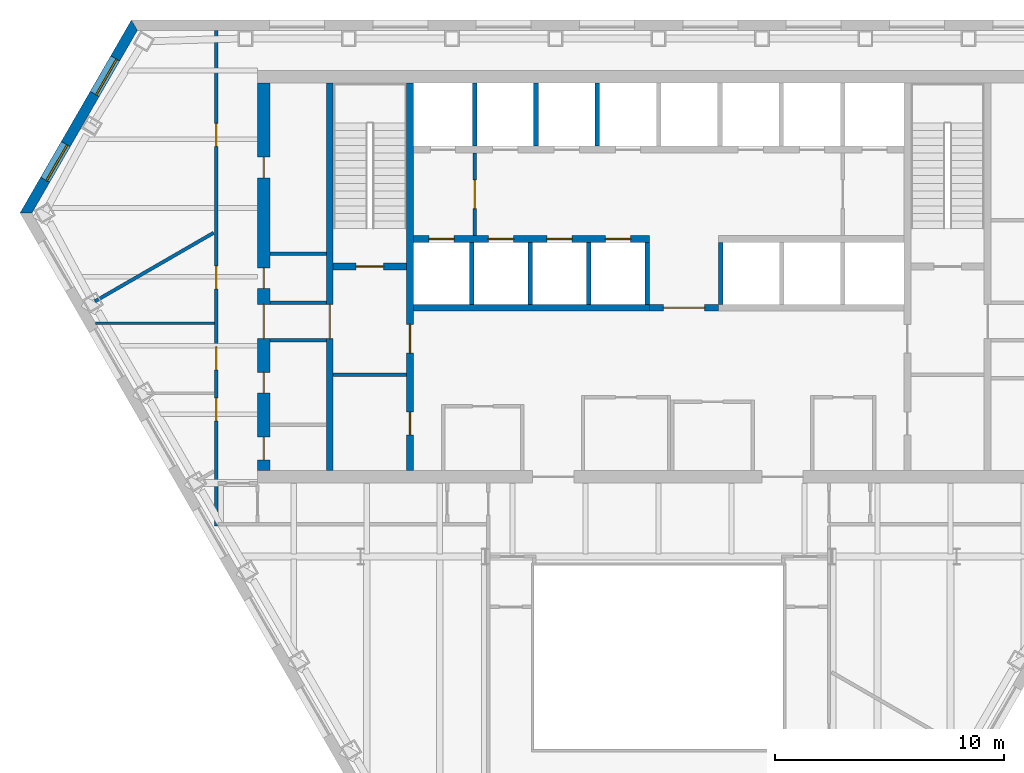
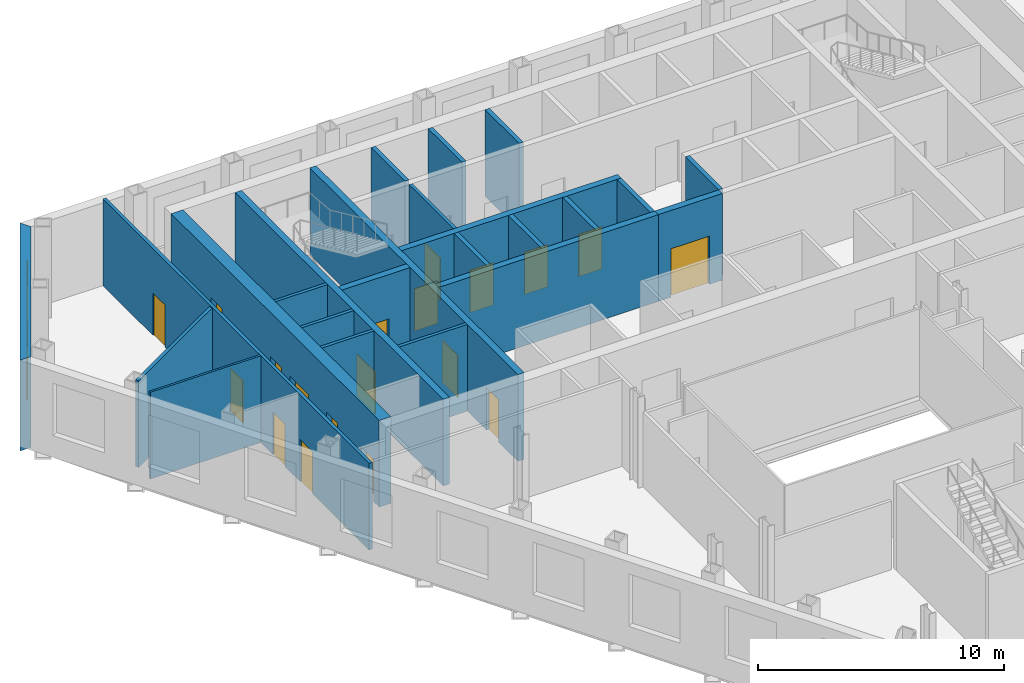
# One storey, part 7 of 12: 24 walls, 19 doors, 2 windows, 21 openings.
"""IFC4 building model written with IfcOpenShell, lengths in metres."""

import ifcopenshell
import ifcopenshell.guid

model = None  # the IFC model being written
_history = None  # IfcOwnerHistory: only IFC2X3 demands one
_inside = {}  # id of a spatial element -> (the spatial element, [elements in it])
_under = {}  # id of a project, library or spatial element -> (it, [spatial elements below it])
_declared = {}  # id of a project -> (the project, [libraries it declares])
_typed = {}  # id of a type object -> (the type object, [elements of that type])
_made_of = {}  # id of a material, layer set ... -> (it, [elements and type objects made of it])


def new_model(schema):
    """Start an empty IFC model of exactly this schema.

    Asked for "IFC4X3", IfcOpenShell would pick the latest addendum, in which some entities
    have other attributes; the version numbers below select the first issue.
    IFC2X3 requires an IfcOwnerHistory on every rooted entity: one is made here for all.
    """
    global model, _history
    if schema == "IFC4X3":
        model = ifcopenshell.file(schema_version=(4, 3, 0, 0))
    else:
        model = ifcopenshell.file(schema=schema)
    _inside.clear()
    _under.clear()
    _declared.clear()
    _typed.clear()
    _made_of.clear()
    _history = None
    if model.schema == "IFC2X3":
        org = make("IfcOrganization", Name="unknown")
        user = make(
            "IfcPersonAndOrganization",
            ThePerson=make("IfcPerson", FamilyName="unknown"),
            TheOrganization=org,
        )
        app = make(
            "IfcApplication",
            ApplicationDeveloper=org,
            Version="unknown",
            ApplicationFullName="unknown",
            ApplicationIdentifier="unknown",
        )
        _history = make(
            "IfcOwnerHistory",
            OwningUser=user,
            OwningApplication=app,
            ChangeAction="ADDED",
            CreationDate=0,
        )
    return model


def make(cls, **values):
    """One entity of the class cls with the attributes given. An attribute that is None is left unset."""
    return model.create_entity(
        cls, **{name: value for name, value in values.items() if value is not None}
    )


def rooted(cls, **values):
    """An entity with a GlobalId (a new one), such as an element, a storey or a relation."""
    return make(cls, GlobalId=ifcopenshell.guid.new(), OwnerHistory=_history, **values)


def si_unit(unit_type, name, prefix=None):
    """IfcSIUnit, for example si_unit("LENGTHUNIT", "METRE", prefix="MILLI")."""
    return make("IfcSIUnit", UnitType=unit_type, Prefix=prefix, Name=name)


def assignment(units):
    """IfcUnitAssignment: the units of a project."""
    return None if units is None else make("IfcUnitAssignment", Units=units)


def point(xyz):
    """IfcCartesianPoint."""
    return None if xyz is None else make("IfcCartesianPoint", Coordinates=xyz)


def direction(xyz):
    """IfcDirection."""
    return None if xyz is None else make("IfcDirection", DirectionRatios=xyz)


def frame(location, z_axis=None, x_axis=None):
    """IfcAxis2Placement3D, a coordinate frame: its origin and axes. An axis left out is left unset."""
    return make(
        "IfcAxis2Placement3D",
        Location=point(location),
        Axis=direction(z_axis),
        RefDirection=direction(x_axis),
    )


def frame_2d(location, x_axis=None):
    """IfcAxis2Placement2D, a coordinate frame in the plane: its origin and x axis."""
    return make(
        "IfcAxis2Placement2D", Location=point(location), RefDirection=direction(x_axis)
    )


def origin():
    """The frame at (0, 0, 0) with its axes left unset."""
    return frame((0.0, 0.0, 0.0))


def place(relative_to, where):
    """IfcLocalPlacement: puts the frame where relative to a parent placement (None: the world)."""
    return make(
        "IfcLocalPlacement", PlacementRelTo=relative_to, RelativePlacement=where
    )


def context(
    kind, dimensions, precision=None, world=None, true_north=None, identifier=None
):
    """IfcGeometricRepresentationContext, for example the 3D "Model" context."""
    return make(
        "IfcGeometricRepresentationContext",
        ContextIdentifier=identifier,
        ContextType=kind,
        CoordinateSpaceDimension=dimensions,
        Precision=precision,
        WorldCoordinateSystem=world,
        TrueNorth=true_north,
    )


def subcontext(parent, identifier, kind, view, scale=None):
    """IfcGeometricRepresentationSubContext, for example "Body" below "Model"."""
    return make(
        "IfcGeometricRepresentationSubContext",
        ContextIdentifier=identifier,
        ContextType=kind,
        ParentContext=parent,
        TargetScale=scale,
        TargetView=view,
    )


def project(units=None, contexts=None):
    """IfcProject with its units and contexts."""
    return rooted(
        "IfcProject",
        Name="project",
        RepresentationContexts=contexts,
        UnitsInContext=assignment(units),
    )


def spatial(cls, under=None, at=None, **own):
    """A site, building, storey or space (cls), placed at a placement, below another one or the project."""
    s = rooted(cls, ObjectPlacement=at, **own)
    if under is not None:
        _under.setdefault(under.id(), (under, []))[1].append(s)
    return s


def polyline(points):
    """IfcPolyline through the points."""
    return make("IfcPolyline", Points=[point(p) for p in points])


def profile(cls, at=None, kind="AREA", **sizes):
    """A parametric profile (cls). Its sizes go by their IFC names, for example OverallWidth=200.0."""
    return make(cls, ProfileType=kind, Position=at, **sizes)


def rectangle(**sizes):
    """IfcRectangleProfileDef."""
    return profile("IfcRectangleProfileDef", **sizes)


def outline(outer, holes=None, kind="AREA"):
    """IfcArbitraryClosedProfileDef: a profile drawn as a closed curve; with holes, ...WithVoids."""
    if holes is None:
        return make("IfcArbitraryClosedProfileDef", ProfileType=kind, OuterCurve=outer)
    return make(
        "IfcArbitraryProfileDefWithVoids",
        ProfileType=kind,
        OuterCurve=outer,
        InnerCurves=holes,
    )


def extrude(swept, where, along, depth):
    """IfcExtrudedAreaSolid: the profile swept, set in the frame where, extruded along a direction by depth."""
    return make(
        "IfcExtrudedAreaSolid",
        SweptArea=swept,
        Position=where,
        ExtrudedDirection=direction(along),
        Depth=depth,
    )


def shape(context_of_items, identifier, shape_type, items):
    """IfcShapeRepresentation: the items that make up one representation, for example the "Body"."""
    return make(
        "IfcShapeRepresentation",
        ContextOfItems=context_of_items,
        RepresentationIdentifier=identifier,
        RepresentationType=shape_type,
        Items=items,
    )


def material(Name=None, Category=None):
    """IfcMaterial."""
    return make("IfcMaterial", Name=Name, Category=Category)


def layer(
    of_material, thickness, ventilated=None, Name=None, Category=None, Priority=None
):
    """IfcMaterialLayer: one layer of a wall or slab, of a material (None: an air gap)."""
    return make(
        "IfcMaterialLayer",
        Material=of_material,
        LayerThickness=thickness,
        IsVentilated=ventilated,
        Name=Name,
        Category=Category,
        Priority=Priority,
    )


def layer_set(layers, Name=None):
    """IfcMaterialLayerSet."""
    return make("IfcMaterialLayerSet", MaterialLayers=layers, LayerSetName=Name)


def made_of(thing, what):
    """Note that an element or type object is made of a material, layer set ...; save() writes the relation."""
    if what is not None:
        _made_of.setdefault(what.id(), (what, []))[1].append(thing)
    return thing


def type_object(cls, material=None, **own):
    """A type object (cls), such as IfcWallType, which elements share."""
    return made_of(rooted(cls, **own), material)


def element(
    cls,
    number,
    at=None,
    inside=None,
    cuts=None,
    type_object=None,
    material=None,
    context=None,
    identifier="Body",
    shape_type=None,
    held_by="IfcProductDefinitionShape",
    body=None,
    shapes=None,
    **own,
):
    """One element of the class cls, such as IfcWall. Its Tag is "e" and its number.

    at: its placement. inside: the storey or other place that contains it. cuts: it is an
    opening in that element (IfcRelVoidsElement). A single representation is given by context,
    identifier, shape_type and body (its items); several are given by shapes. held_by: the class
    of the entity that holds the representations. save() writes the other relations.
    """
    e = rooted(cls, Tag="e%d" % number, ObjectPlacement=at, **own)
    if body is not None:
        shapes = [shape(context, identifier, shape_type, body)]
    if shapes is not None:
        e.Representation = make(held_by, Representations=shapes)
    if inside is not None:
        _inside.setdefault(inside.id(), (inside, []))[1].append(e)
    if cuts is not None:
        rooted(
            "IfcRelVoidsElement", RelatingBuildingElement=cuts, RelatedOpeningElement=e
        )
    if type_object is not None:
        _typed.setdefault(type_object.id(), (type_object, []))[1].append(e)
    return made_of(e, material)


def fill(opening, filler):
    """IfcRelFillsElement: the door or window that sits in an opening."""
    return rooted(
        "IfcRelFillsElement",
        RelatingOpeningElement=opening,
        RelatedBuildingElement=filler,
    )


def aggregate(whole, parts):
    """IfcRelAggregates: a whole, such as a stair, and the parts it consists of."""
    return rooted("IfcRelAggregates", RelatingObject=whole, RelatedObjects=parts)


def save(model, path):
    """Write the relations noted so far, then the file.

    IfcRelAggregates (storeys below a building ...), IfcRelContainedInSpatialStructure (elements
    in a storey), IfcRelDefinesByType, IfcRelAssociatesMaterial and IfcRelDeclares: one each for
    every whole, place, type object, material and project.
    """
    for whole, parts in _under.values():
        aggregate(whole, parts)
    for where, things in _inside.values():
        rooted(
            "IfcRelContainedInSpatialStructure",
            RelatedElements=things,
            RelatingStructure=where,
        )
    for kind, things in _typed.values():
        rooted("IfcRelDefinesByType", RelatedObjects=things, RelatingType=kind)
    for what, things in _made_of.values():
        rooted("IfcRelAssociatesMaterial", RelatedObjects=things, RelatingMaterial=what)
    for by, libraries in _declared.values():
        rooted("IfcRelDeclares", RelatingContext=by, RelatedDefinitions=libraries)
    model.write(path)


model = new_model("IFC4")

# Units and contexts
model_context = context("Model", 3, precision=1e-05, world=origin(), true_north=direction((0.0, 1.0)))
body_context = subcontext(model_context, "Body", "Model", "MODEL_VIEW")
ifc_project = project(units=[si_unit("LENGTHUNIT", "METRE"), si_unit("AREAUNIT", "SQUARE_METRE"), si_unit("VOLUMEUNIT", "CUBIC_METRE"), si_unit("PLANEANGLEUNIT", "RADIAN"), si_unit("MASSUNIT", "GRAM", prefix="KILO")], contexts=[model_context])

# Site, building, storey
site_placement = place(None, origin())
site = spatial("IfcSite", under=ifc_project, at=site_placement, CompositionType="ELEMENT")
building_placement = place(site_placement, origin())
building = spatial("IfcBuilding", under=site, at=building_placement, Name="Njiva Tower", CompositionType="ELEMENT")
storey_placement = place(building_placement, frame((0.0, 0.0, 111.3)))
storey = spatial("IfcBuildingStorey", under=building, at=storey_placement, Name="L23", CompositionType="ELEMENT", Elevation=111.3)

# Wall
ifc_material_1 = material(Name="Blockwork", Category="masonry")
ifc_layer_1 = layer(ifc_material_1, 0.15)
ifc_layer_set_1 = layer_set([ifc_layer_1], Name="Blockwork")
wall_type_1 = type_object("IfcWallType", Name="WT1 Compartment partition 150", PredefinedType="PARTITIONING", material=ifc_layer_set_1)
wall_1_placement = place(storey_placement, frame((-14.2, 4.725, 0.0), z_axis=(0.0, 0.0, 1.0), x_axis=(1.0, 0.0, 0.0)))
element("IfcWall", 1, at=wall_1_placement, inside=storey, type_object=wall_type_1, Name="Room wall A", PredefinedType="PARTITIONING", context=body_context, shape_type="SweptSolid", body=[
    extrude(rectangle(XDim=3.2, YDim=0.15, at=frame_2d((1.6, 0.0))), origin(), (0.0, 0.0, 1.0), 4.3),
])

# Wall, openings, doors
ifc_material_2 = material(Name="Concrete C40/50", Category="concrete")
ifc_layer_2 = layer(ifc_material_2, 0.3)
ifc_layer_set_2 = layer_set([ifc_layer_2], Name="Concrete C40/50")
wall_type_2 = type_object("IfcWallType", Name="WT10 Stair enclosure wall 300", PredefinedType="SHEAR", material=ifc_layer_set_2)
wall_2_placement = place(storey_placement, frame((-10.85, 0.55, 0.0), z_axis=(0.0, 0.0, 1.0), x_axis=(0.0, 1.0, 0.0)))
wall_2 = element("IfcWall", 2, at=wall_2_placement, inside=storey, type_object=wall_type_2, Name="Stair wall west inner", PredefinedType="SHEAR", context=body_context, shape_type="SweptSolid", body=[
    extrude(rectangle(XDim=16.9, YDim=0.3, at=frame_2d((8.45, 0.0))), origin(), (0.0, 0.0, 1.0), 4.3),
])
opening_1_placement = place(wall_2_placement, frame((5.125, 0.0, 0.0)))
opening_1 = element("IfcOpeningElement", 3, at=opening_1_placement, cuts=wall_2, Name="Opening S08-D914", PredefinedType="OPENING", context=body_context, shape_type="SweptSolid", body=[
    extrude(rectangle(XDim=1.25, YDim=2.1, at=frame_2d((0.625, 1.05))), frame((0.0, 0.16, 0.0), z_axis=(0.0, -1.0, 0.0), x_axis=(1.0, 0.0, 0.0)), (0.0, 0.0, 1.0), 0.32),
])
opening_2_placement = place(wall_2_placement, frame((1.55, 0.0, 0.0)))
opening_2 = element("IfcOpeningElement", 4, at=opening_2_placement, cuts=wall_2, Name="Opening S08-D915", PredefinedType="OPENING", context=body_context, shape_type="SweptSolid", body=[
    extrude(rectangle(XDim=1.0, YDim=2.1, at=frame_2d((0.5, 1.05))), frame((0.0, 0.16, 0.0), z_axis=(0.0, -1.0, 0.0), x_axis=(1.0, 0.0, 0.0)), (0.0, 0.0, 1.0), 0.32),
])
ifc_material_3 = material(Name="Steel door, painted", Category="steel")
door_type_1 = type_object("IfcDoorType", Name="D5 Steel door 1000x2100", OperationType="SINGLE_SWING_LEFT", PredefinedType="DOOR", material=ifc_material_3)
door_1_placement = place(opening_2_placement, origin())
door_1 = element("IfcDoor", 5, at=door_1_placement, inside=storey, type_object=door_type_1, Name="Quiet room door", OperationType="SINGLE_SWING_RIGHT", OverallHeight=2.1, OverallWidth=1.0, PredefinedType="DOOR", context=body_context, shape_type="SweptSolid", body=[
    extrude(rectangle(XDim=1.0, YDim=2.1, at=frame_2d((0.5, 1.05))), frame((0.0, 0.025, 0.0), z_axis=(0.0, -1.0, 0.0), x_axis=(1.0, 0.0, 0.0)), (0.0, 0.0, 1.0), 0.05),
])
fill(opening_2, door_1)
ifc_material_4 = material(Name="Glazed steel fire door", Category="steel")
door_type_2 = type_object("IfcDoorType", Name="D8 Vestibule corridor door 1250x2100 glazed", OperationType="SINGLE_SWING_LEFT", PredefinedType="DOOR", material=ifc_material_4)
door_2_placement = place(opening_1_placement, origin())
door_2 = element("IfcDoor", 6, at=door_2_placement, inside=storey, type_object=door_type_2, Name="Stair vestibule corridor door", OperationType="SINGLE_SWING_LEFT", OverallHeight=2.1, OverallWidth=1.25, PredefinedType="DOOR", context=body_context, shape_type="SweptSolid", body=[
    extrude(rectangle(XDim=1.25, YDim=2.1, at=frame_2d((0.625, 1.05))), frame((0.0, 0.025, 0.0), z_axis=(0.0, -1.0, 0.0), x_axis=(1.0, 0.0, 0.0)), (0.0, 0.0, 1.0), 0.05),
])
fill(opening_1, door_2)

# Wall, opening, door
wall_3_placement = place(storey_placement, frame((-14.35, 0.55, 0.0), z_axis=(0.0, 0.0, 1.0), x_axis=(0.0, 1.0, 0.0)))
wall_3 = element("IfcWall", 7, at=wall_3_placement, inside=storey, type_object=wall_type_2, Name="Stair wall west outer", PredefinedType="SHEAR", context=body_context, shape_type="SweptSolid", body=[
    extrude(rectangle(XDim=16.9, YDim=0.3, at=frame_2d((8.45, 0.0))), origin(), (0.0, 0.0, 1.0), 4.3),
])
opening_3_placement = place(wall_3_placement, frame((5.75, 0.0, 0.0)))
opening_3 = element("IfcOpeningElement", 8, at=opening_3_placement, cuts=wall_3, Name="Opening S08-D920", PredefinedType="OPENING", context=body_context, shape_type="SweptSolid", body=[
    extrude(rectangle(XDim=1.5, YDim=2.1, at=frame_2d((0.75, 1.05))), frame((0.0, 0.16, 0.0), z_axis=(0.0, -1.0, 0.0), x_axis=(1.0, 0.0, 0.0)), (0.0, 0.0, 1.0), 0.32),
])
door_type_3 = type_object("IfcDoorType", Name="D10 Exit door double 1500x2100 glazed", OperationType="DOUBLE_DOOR_SINGLE_SWING", PredefinedType="DOOR", material=ifc_material_4)
door_3_placement = place(opening_3_placement, origin())
door_3 = element("IfcDoor", 9, at=door_3_placement, inside=storey, type_object=door_type_3, Name="Stair A passage door", OperationType="DOUBLE_DOOR_SINGLE_SWING", OverallHeight=2.1, OverallWidth=1.5, PredefinedType="DOOR", context=body_context, shape_type="SweptSolid", body=[
    extrude(rectangle(XDim=1.5, YDim=2.1, at=frame_2d((0.75, 1.05))), frame((0.0, 0.025, 0.0), z_axis=(0.0, -1.0, 0.0), x_axis=(1.0, 0.0, 0.0)), (0.0, 0.0, 1.0), 0.05),
])
fill(opening_3, door_3)

wall_4_placement = place(storey_placement, frame((-14.2, 9.45, 0.0), z_axis=(0.0, 0.0, 1.0), x_axis=(1.0, 0.0, 0.0)))
wall_4 = element("IfcWall", 10, at=wall_4_placement, inside=storey, type_object=wall_type_2, Name="Stair A south wall", PredefinedType="SHEAR", context=body_context, shape_type="SweptSolid", body=[
    extrude(rectangle(XDim=3.2, YDim=0.3, at=frame_2d((1.6, 0.0))), origin(), (0.0, 0.0, 1.0), 4.3),
])
opening_4_placement = place(wall_4_placement, frame((1.0, 0.0, 0.0)))
opening_4 = element("IfcOpeningElement", 11, at=opening_4_placement, cuts=wall_4, Name="Opening S08-D913", PredefinedType="OPENING", context=body_context, shape_type="SweptSolid", body=[
    extrude(rectangle(XDim=1.2, YDim=2.1, at=frame_2d((0.6, 1.05))), frame((0.0, 0.16, 0.0), z_axis=(0.0, -1.0, 0.0), x_axis=(1.0, 0.0, 0.0)), (0.0, 0.0, 1.0), 0.32),
])
door_type_4 = type_object("IfcDoorType", Name="D7 Stair vestibule door 1200x2100 glazed", OperationType="SINGLE_SWING_LEFT", PredefinedType="DOOR", material=ifc_material_4)
door_4_placement = place(opening_4_placement, origin())
door_4 = element("IfcDoor", 12, at=door_4_placement, inside=storey, type_object=door_type_4, Name="Stair A door", OperationType="SINGLE_SWING_LEFT", OverallHeight=2.1, OverallWidth=1.2, PredefinedType="DOOR", context=body_context, shape_type="SweptSolid", body=[
    extrude(rectangle(XDim=1.2, YDim=2.1, at=frame_2d((0.6, 1.05))), frame((0.0, 0.025, 0.0), z_axis=(0.0, -1.0, 0.0), x_axis=(1.0, 0.0, 0.0)), (0.0, 0.0, 1.0), 0.05),
])
fill(opening_4, door_4)

# Wall, openings, doors
ifc_material_5 = material(Name="Concrete C60/75", Category="concrete")
ifc_layer_3 = layer(ifc_material_5, 0.55)
ifc_layer_set_3 = layer_set([ifc_layer_3], Name="Concrete C60/75")
wall_type_3 = type_object("IfcWallType", Name="WT14 Core wall 550", PredefinedType="SHEAR", material=ifc_layer_set_3)
wall_5_placement = place(storey_placement, frame((-17.225, 0.55, 0.0), z_axis=(0.0, 0.0, 1.0), x_axis=(0.0, 1.0, 0.0)))
wall_5 = element("IfcWall", 13, at=wall_5_placement, inside=storey, type_object=wall_type_3, Name="Core wall west", PredefinedType="SHEAR", context=body_context, shape_type="SweptSolid", body=[
    extrude(rectangle(XDim=16.9, YDim=0.55, at=frame_2d((8.45, 0.0))), origin(), (0.0, 0.0, 1.0), 4.3),
])
opening_5_placement = place(wall_5_placement, frame((5.75, 0.0, 0.0)))
opening_5 = element("IfcOpeningElement", 14, at=opening_5_placement, cuts=wall_5, Name="Opening S08-D921", PredefinedType="OPENING", context=body_context, shape_type="SweptSolid", body=[
    extrude(rectangle(XDim=1.5, YDim=2.1, at=frame_2d((0.75, 1.05))), frame((0.0, 0.285, 0.0), z_axis=(0.0, -1.0, 0.0), x_axis=(1.0, 0.0, 0.0)), (0.0, 0.0, 1.0), 0.57),
])
opening_6_placement = place(wall_5_placement, frame((0.4618, 0.0, 0.0)))
opening_6 = element("IfcOpeningElement", 15, at=opening_6_placement, cuts=wall_5, Name="Opening S08-D922", PredefinedType="OPENING", context=body_context, shape_type="SweptSolid", body=[
    extrude(rectangle(XDim=1.0, YDim=2.1, at=frame_2d((0.5, 1.05))), frame((0.0, 0.285, 0.0), z_axis=(0.0, -1.0, 0.0), x_axis=(1.0, 0.0, 0.0)), (0.0, 0.0, 1.0), 0.57),
])
opening_7_placement = place(wall_5_placement, frame((3.3868, 0.0, 0.0)))
opening_7 = element("IfcOpeningElement", 16, at=opening_7_placement, cuts=wall_5, Name="Opening S08-D923", PredefinedType="OPENING", context=body_context, shape_type="SweptSolid", body=[
    extrude(rectangle(XDim=0.9, YDim=2.1, at=frame_2d((0.45, 1.05))), frame((0.0, 0.285, 0.0), z_axis=(0.0, -1.0, 0.0), x_axis=(1.0, 0.0, 0.0)), (0.0, 0.0, 1.0), 0.57),
])
opening_8_placement = place(wall_5_placement, frame((7.9417, 0.0, 0.0)))
opening_8 = element("IfcOpeningElement", 17, at=opening_8_placement, cuts=wall_5, Name="Opening S08-D924", PredefinedType="OPENING", context=body_context, shape_type="SweptSolid", body=[
    extrude(rectangle(XDim=0.9, YDim=2.1, at=frame_2d((0.45, 1.05))), frame((0.0, 0.285, 0.0), z_axis=(0.0, -1.0, 0.0), x_axis=(1.0, 0.0, 0.0)), (0.0, 0.0, 1.0), 0.57),
])
opening_9_placement = place(wall_5_placement, frame((12.7667, 0.0, 0.0)))
opening_9 = element("IfcOpeningElement", 18, at=opening_9_placement, cuts=wall_5, Name="Opening S08-D925", PredefinedType="OPENING", context=body_context, shape_type="SweptSolid", body=[
    extrude(rectangle(XDim=0.9, YDim=2.1, at=frame_2d((0.45, 1.05))), frame((0.0, 0.285, 0.0), z_axis=(0.0, -1.0, 0.0), x_axis=(1.0, 0.0, 0.0)), (0.0, 0.0, 1.0), 0.57),
])
door_5_placement = place(opening_5_placement, origin())
door_5 = element("IfcDoor", 19, at=door_5_placement, inside=storey, type_object=door_type_3, Name="Stair A corridor door", OperationType="DOUBLE_DOOR_SINGLE_SWING", OverallHeight=2.1, OverallWidth=1.5, PredefinedType="DOOR", context=body_context, shape_type="SweptSolid", body=[
    extrude(rectangle(XDim=1.5, YDim=2.1, at=frame_2d((0.75, 1.05))), frame((0.0, 0.025, 0.0), z_axis=(0.0, -1.0, 0.0), x_axis=(1.0, 0.0, 0.0)), (0.0, 0.0, 1.0), 0.05),
])
fill(opening_5, door_5)
door_type_5 = type_object("IfcDoorType", Name="D4 Riser door 900x2100", OperationType="SINGLE_SWING_LEFT", PredefinedType="DOOR", material=ifc_material_3)
door_6_placement = place(opening_8_placement, origin())
door_6 = element("IfcDoor", 20, at=door_6_placement, inside=storey, type_object=door_type_5, Name="Riser door", OperationType="SINGLE_SWING_RIGHT", OverallHeight=2.1, OverallWidth=0.9, PredefinedType="DOOR", context=body_context, shape_type="SweptSolid", body=[
    extrude(rectangle(XDim=0.9, YDim=2.1, at=frame_2d((0.45, 1.05))), frame((0.0, 0.025, 0.0), z_axis=(0.0, -1.0, 0.0), x_axis=(1.0, 0.0, 0.0)), (0.0, 0.0, 1.0), 0.05),
])
fill(opening_8, door_6)
door_7_placement = place(opening_6_placement, origin())
door_7 = element("IfcDoor", 21, at=door_7_placement, inside=storey, type_object=door_type_1, Name="Electrical room door", OperationType="SINGLE_SWING_LEFT", OverallHeight=2.1, OverallWidth=1.0, PredefinedType="DOOR", context=body_context, shape_type="SweptSolid", body=[
    extrude(rectangle(XDim=1.0, YDim=2.1, at=frame_2d((0.5, 1.05))), frame((0.0, 0.025, 0.0), z_axis=(0.0, -1.0, 0.0), x_axis=(1.0, 0.0, 0.0)), (0.0, 0.0, 1.0), 0.05),
])
fill(opening_6, door_7)
ifc_material_6 = material(Name="Steel fire door, painted", Category="steel")
door_type_6 = type_object("IfcDoorType", Name="D6 Fire-rated door 900x2100", OperationType="SINGLE_SWING_LEFT", PredefinedType="DOOR", material=ifc_material_6)
door_8_placement = place(opening_7_placement, origin())
door_8 = element("IfcDoor", 22, at=door_8_placement, inside=storey, type_object=door_type_6, Name="Quiet room door", OperationType="SINGLE_SWING_LEFT", OverallHeight=2.1, OverallWidth=0.9, PredefinedType="DOOR", context=body_context, shape_type="SweptSolid", body=[
    extrude(rectangle(XDim=0.9, YDim=2.1, at=frame_2d((0.45, 1.05))), frame((0.0, 0.025, 0.0), z_axis=(0.0, -1.0, 0.0), x_axis=(1.0, 0.0, 0.0)), (0.0, 0.0, 1.0), 0.05),
])
fill(opening_7, door_8)
door_9_placement = place(opening_9_placement, origin())
door_9 = element("IfcDoor", 23, at=door_9_placement, inside=storey, type_object=door_type_6, Name="Business centre door", OperationType="SINGLE_SWING_RIGHT", OverallHeight=2.1, OverallWidth=0.9, PredefinedType="DOOR", context=body_context, shape_type="SweptSolid", body=[
    extrude(rectangle(XDim=0.9, YDim=2.1, at=frame_2d((0.45, 1.05))), frame((0.0, 0.025, 0.0), z_axis=(0.0, -1.0, 0.0), x_axis=(1.0, 0.0, 0.0)), (0.0, 0.0, 1.0), 0.05),
])
fill(opening_9, door_9)

# Wall, opening, door
ifc_layer_4 = layer(ifc_material_1, 0.15)
ifc_layer_set_4 = layer_set([ifc_layer_4], Name="Blockwork")
wall_type_4 = type_object("IfcWallType", Name="WT2 Lobby partition 150", PredefinedType="PARTITIONING", material=ifc_layer_set_4)
wall_6_placement = place(storey_placement, frame((-8.025, 10.8, 0.0), z_axis=(0.0, 0.0, 1.0), x_axis=(0.0, 1.0, 0.0)))
wall_6 = element("IfcWall", 24, at=wall_6_placement, inside=storey, type_object=wall_type_4, Name="Firefighting lobby wall A", PredefinedType="PARTITIONING", context=body_context, shape_type="SweptSolid", body=[
    extrude(rectangle(XDim=3.6, YDim=0.15, at=frame_2d((1.8, 0.0))), origin(), (0.0, 0.0, 1.0), 4.3),
])
opening_10_placement = place(wall_6_placement, frame((1.175, 0.0, 0.0)))
opening_10 = element("IfcOpeningElement", 25, at=opening_10_placement, cuts=wall_6, Name="Opening S08-D912", PredefinedType="OPENING", context=body_context, shape_type="SweptSolid", body=[
    extrude(rectangle(XDim=1.25, YDim=2.1, at=frame_2d((0.625, 1.05))), frame((0.0, 0.085, 0.0), z_axis=(0.0, -1.0, 0.0), x_axis=(1.0, 0.0, 0.0)), (0.0, 0.0, 1.0), 0.17),
])
door_10_placement = place(opening_10_placement, origin())
door_10 = element("IfcDoor", 26, at=door_10_placement, inside=storey, type_object=door_type_2, Name="Stair vestibule corridor door", OperationType="SINGLE_SWING_RIGHT", OverallHeight=2.1, OverallWidth=1.25, PredefinedType="DOOR", context=body_context, shape_type="SweptSolid", body=[
    extrude(rectangle(XDim=1.25, YDim=2.1, at=frame_2d((0.625, 1.05))), frame((0.0, 0.025, 0.0), z_axis=(0.0, -1.0, 0.0), x_axis=(1.0, 0.0, 0.0)), (0.0, 0.0, 1.0), 0.05),
])
fill(opening_10, door_10)

# Walls
ifc_material_7 = material(Name="Gypsum board on steel studs", Category="gypsum")
ifc_layer_5 = layer(ifc_material_7, 0.1)
ifc_layer_set_5 = layer_set([ifc_layer_5], Name="Gypsum board on steel studs")
wall_type_5 = type_object("IfcWallType", Name="WT20 Gypsum partition 100", PredefinedType="PARTITIONING", material=ifc_layer_set_5)
wall_7_placement = place(storey_placement, frame((-24.557, 6.97, 0.0), z_axis=(0.0, 0.0, 1.0), x_axis=(1.0, 0.0, 0.0)))
element("IfcWall", 27, at=wall_7_placement, inside=storey, type_object=wall_type_5, Name="Partition S08-P002", PredefinedType="PARTITIONING", context=body_context, shape_type="SweptSolid", body=[
    extrude(rectangle(XDim=5.182, YDim=0.1, at=frame_2d((2.591, 0.0))), origin(), (0.0, 0.0, 1.0), 4.3),
])
ifc_layer_6 = layer(ifc_material_7, 0.15)
ifc_layer_set_6 = layer_set([ifc_layer_6], Name="Gypsum board on steel studs")
wall_type_6 = type_object("IfcWallType", Name="WT21 Compartment wall 150", PredefinedType="PARTITIONING", material=ifc_layer_set_6)
wall_8_placement = place(storey_placement, frame((-24.592, 7.93, 0.0), z_axis=(0.0, 0.0, 1.0), x_axis=(0.866146611104, 0.499790003975, 0.0)))
element("IfcWall", 28, at=wall_8_placement, inside=storey, type_object=wall_type_6, Name="Partition S08-P001", PredefinedType="PARTITIONING", context=body_context, shape_type="SweptSolid", body=[
    extrude(rectangle(XDim=5.9805, YDim=0.15, at=frame_2d((2.9902, 0.0))), origin(), (0.0, 0.0, 1.0), 4.3),
])

# Wall, openings, doors
wall_9_placement = place(storey_placement, frame((-19.3, -1.875, 0.0), z_axis=(0.0, 0.0, 1.0), x_axis=(0.0, 1.0, 0.0)))
wall_9 = element("IfcWall", 29, at=wall_9_placement, inside=storey, type_object=wall_type_6, Name="Partition S08-P005", PredefinedType="PARTITIONING", context=body_context, shape_type="SweptSolid", body=[
    extrude(rectangle(XDim=21.622, YDim=0.15, at=frame_2d((10.811, 0.0))), origin(), (0.0, 0.0, 1.0), 4.3),
])
opening_11_placement = place(wall_9_placement, frame((4.595, 0.0, 0.0)))
opening_11 = element("IfcOpeningElement", 30, at=opening_11_placement, cuts=wall_9, Name="Opening S08-D001", PredefinedType="OPENING", context=body_context, shape_type="SweptSolid", body=[
    extrude(rectangle(XDim=1.0, YDim=2.1, at=frame_2d((0.5, 1.05))), frame((0.0, 0.085, 0.0), z_axis=(0.0, -1.0, 0.0), x_axis=(1.0, 0.0, 0.0)), (0.0, 0.0, 1.0), 0.17),
])
opening_12_placement = place(wall_9_placement, frame((6.82, 0.0, 0.0)))
opening_12 = element("IfcOpeningElement", 31, at=opening_12_placement, cuts=wall_9, Name="Opening S08-D002", PredefinedType="OPENING", context=body_context, shape_type="SweptSolid", body=[
    extrude(rectangle(XDim=1.0, YDim=2.1, at=frame_2d((0.5, 1.05))), frame((0.0, 0.085, 0.0), z_axis=(0.0, -1.0, 0.0), x_axis=(1.0, 0.0, 0.0)), (0.0, 0.0, 1.0), 0.17),
])
opening_13_placement = place(wall_9_placement, frame((10.351, 0.0, 0.0)))
opening_13 = element("IfcOpeningElement", 32, at=opening_13_placement, cuts=wall_9, Name="Opening S08-D003", PredefinedType="OPENING", context=body_context, shape_type="SweptSolid", body=[
    extrude(rectangle(XDim=1.0, YDim=2.1, at=frame_2d((0.5, 1.05))), frame((0.0, 0.085, 0.0), z_axis=(0.0, -1.0, 0.0), x_axis=(1.0, 0.0, 0.0)), (0.0, 0.0, 1.0), 0.17),
])
opening_14_placement = place(wall_9_placement, frame((16.565, 0.0, 0.0)))
opening_14 = element("IfcOpeningElement", 33, at=opening_14_placement, cuts=wall_9, Name="Opening S08-D004", PredefinedType="OPENING", context=body_context, shape_type="SweptSolid", body=[
    extrude(rectangle(XDim=1.0, YDim=2.1, at=frame_2d((0.5, 1.05))), frame((0.0, 0.085, 0.0), z_axis=(0.0, -1.0, 0.0), x_axis=(1.0, 0.0, 0.0)), (0.0, 0.0, 1.0), 0.17),
])
ifc_material_8 = material(Name="Steel fire door set", Category="steel")
door_type_7 = type_object("IfcDoorType", Name="D37 Fire door 1000x2100", OperationType="SINGLE_SWING_LEFT", PredefinedType="DOOR", material=ifc_material_8)
door_11_placement = place(opening_11_placement, origin())
door_11 = element("IfcDoor", 34, at=door_11_placement, inside=storey, type_object=door_type_7, Name="Door S08-D001", OperationType="SINGLE_SWING_RIGHT", OverallHeight=2.1, OverallWidth=1.0, PredefinedType="DOOR", context=body_context, shape_type="SweptSolid", body=[
    extrude(rectangle(XDim=1.0, YDim=2.1, at=frame_2d((0.5, 1.05))), frame((0.0, 0.025, 0.0), z_axis=(0.0, -1.0, 0.0), x_axis=(1.0, 0.0, 0.0)), (0.0, 0.0, 1.0), 0.05),
])
fill(opening_11, door_11)
door_12_placement = place(opening_12_placement, origin())
door_12 = element("IfcDoor", 35, at=door_12_placement, inside=storey, type_object=door_type_7, Name="Door S08-D002", OperationType="SINGLE_SWING_RIGHT", OverallHeight=2.1, OverallWidth=1.0, PredefinedType="DOOR", context=body_context, shape_type="SweptSolid", body=[
    extrude(rectangle(XDim=1.0, YDim=2.1, at=frame_2d((0.5, 1.05))), frame((0.0, 0.025, 0.0), z_axis=(0.0, -1.0, 0.0), x_axis=(1.0, 0.0, 0.0)), (0.0, 0.0, 1.0), 0.05),
])
fill(opening_12, door_12)
door_13_placement = place(opening_13_placement, origin())
door_13 = element("IfcDoor", 36, at=door_13_placement, inside=storey, type_object=door_type_7, Name="Door S08-D003", OperationType="SINGLE_SWING_LEFT", OverallHeight=2.1, OverallWidth=1.0, PredefinedType="DOOR", context=body_context, shape_type="SweptSolid", body=[
    extrude(rectangle(XDim=1.0, YDim=2.1, at=frame_2d((0.5, 1.05))), frame((0.0, 0.025, 0.0), z_axis=(0.0, -1.0, 0.0), x_axis=(1.0, 0.0, 0.0)), (0.0, 0.0, 1.0), 0.05),
])
fill(opening_13, door_13)
door_14_placement = place(opening_14_placement, origin())
door_14 = element("IfcDoor", 37, at=door_14_placement, inside=storey, type_object=door_type_7, Name="Door S08-D004", OperationType="SINGLE_SWING_LEFT", OverallHeight=2.1, OverallWidth=1.0, PredefinedType="DOOR", context=body_context, shape_type="SweptSolid", body=[
    extrude(rectangle(XDim=1.0, YDim=2.1, at=frame_2d((0.5, 1.05))), frame((0.0, 0.025, 0.0), z_axis=(0.0, -1.0, 0.0), x_axis=(1.0, 0.0, 0.0)), (0.0, 0.0, 1.0), 0.05),
])
fill(opening_14, door_14)

# Walls
ifc_layer_7 = layer(ifc_material_1, 0.15)
ifc_layer_set_7 = layer_set([ifc_layer_7], Name="Blockwork")
wall_type_7 = type_object("IfcWallType", Name="WT3 Riser partition 150", PredefinedType="PARTITIONING", material=ifc_layer_set_7)
wall_10_placement = place(storey_placement, frame((-16.95, 10.0083, 0.0), z_axis=(0.0, 0.0, 1.0), x_axis=(1.0, 0.0, 0.0)))
element("IfcWall", 38, at=wall_10_placement, inside=storey, type_object=wall_type_7, Name="Partition strip W10", PredefinedType="PARTITIONING", context=body_context, shape_type="SweptSolid", body=[
    extrude(rectangle(XDim=2.45, YDim=0.15, at=frame_2d((1.225, 0.0))), origin(), (0.0, 0.0, 1.0), 4.3),
])
ifc_layer_8 = layer(ifc_material_1, 0.15)
ifc_layer_set_8 = layer_set([ifc_layer_8], Name="Blockwork")
wall_type_8 = type_object("IfcWallType", Name="WT4 Stair partition 150", PredefinedType="PARTITIONING", material=ifc_layer_set_8)
for number, where, z_axis, x_axis, name in (
    (39, (-16.95, 6.225, 0.0), (0.0, 0.0, 1.0), (1.0, 0.0, 0.0), "Stair A exit passage wall south"),
    (40, (-16.95, 7.875, 0.0), (0.0, 0.0, 1.0), (1.0, 0.0, 0.0), "Stair A exit passage wall north"),
):
    element("IfcWall", number, at=place(storey_placement, frame(where, z_axis=z_axis, x_axis=x_axis)), inside=storey, type_object=wall_type_8, Name=name, PredefinedType="PARTITIONING", context=body_context, shape_type="SweptSolid", body=[
        extrude(rectangle(XDim=2.45, YDim=0.15, at=frame_2d((1.225, 0.0))), origin(), (0.0, 0.0, 1.0), 4.3),
    ])

# Wall, opening, door
ifc_layer_9 = layer(ifc_material_1, 0.3)
ifc_layer_set_9 = layer_set([ifc_layer_9], Name="Blockwork")
wall_type_9 = type_object("IfcWallType", Name="WT5 Lobby partition 300", PredefinedType="PARTITIONING", material=ifc_layer_set_9)
wall_11_placement = place(storey_placement, frame((-0.4, 7.65, 0.0), z_axis=(0.0, 0.0, 1.0), x_axis=(1.0, 0.0, 0.0)))
wall_11 = element("IfcWall", 41, at=wall_11_placement, inside=storey, type_object=wall_type_9, Name="Lift lobby screen wall", PredefinedType="PARTITIONING", context=body_context, shape_type="SweptSolid", body=[
    extrude(rectangle(XDim=3.0, YDim=0.3, at=frame_2d((1.5, 0.0))), origin(), (0.0, 0.0, 1.0), 4.3),
])
opening_15_placement = place(wall_11_placement, frame((0.6, 0.0, 0.0)))
opening_15 = element("IfcOpeningElement", 42, at=opening_15_placement, cuts=wall_11, Name="Opening S08-D936", PredefinedType="OPENING", context=body_context, shape_type="SweptSolid", body=[
    extrude(rectangle(XDim=1.8, YDim=2.4, at=frame_2d((0.9, 1.2))), frame((0.0, 0.16, 0.0), z_axis=(0.0, -1.0, 0.0), x_axis=(1.0, 0.0, 0.0)), (0.0, 0.0, 1.0), 0.32),
])
ifc_material_9 = material(Name="Steel and glass door", Category="steel")
door_type_8 = type_object("IfcDoorType", Name="D3 Core entrance door 1800x2400", OperationType="DOUBLE_DOOR_SINGLE_SWING", PredefinedType="DOOR", material=ifc_material_9)
door_15_placement = place(opening_15_placement, origin())
door_15 = element("IfcDoor", 43, at=door_15_placement, inside=storey, type_object=door_type_8, Name="Core entrance door", OperationType="DOUBLE_DOOR_SINGLE_SWING", OverallHeight=2.4, OverallWidth=1.8, PredefinedType="DOOR", context=body_context, shape_type="SweptSolid", body=[
    extrude(rectangle(XDim=1.8, YDim=2.4, at=frame_2d((0.9, 1.2))), frame((0.0, 0.025, 0.0), z_axis=(0.0, -1.0, 0.0), x_axis=(1.0, 0.0, 0.0)), (0.0, 0.0, 1.0), 0.05),
])
fill(opening_15, door_15)

# Walls
ifc_layer_10 = layer(ifc_material_2, 0.2)
ifc_layer_set_10 = layer_set([ifc_layer_10], Name="Concrete C40/50")
wall_type_10 = type_object("IfcWallType", Name="WT6 Lift shaft wall 200", PredefinedType="SHEAR", material=ifc_layer_set_10)
for number, where, z_axis, x_axis, name in (
    (44, (-8.025, 14.7, 0.0), (0.0, 0.0, 1.0), (0.0, 1.0, 0.0), "Shaft wall CN1"),
    (45, (-5.35, 14.7, 0.0), (0.0, 0.0, 1.0), (0.0, 1.0, 0.0), "Shaft wall CN2"),
    (46, (-2.675, 14.7, 0.0), (0.0, 0.0, 1.0), (0.0, 1.0, 0.0), "Shaft wall CN3"),
):
    element("IfcWall", number, at=place(storey_placement, frame(where, z_axis=z_axis, x_axis=x_axis)), inside=storey, type_object=wall_type_10, Name=name, PredefinedType="SHEAR", context=body_context, shape_type="SweptSolid", body=[
        extrude(rectangle(XDim=2.75, YDim=0.2, at=frame_2d((1.375, 0.0))), origin(), (0.0, 0.0, 1.0), 4.3),
    ])
for number, where, z_axis, x_axis, name in (
    (47, (-8.15, 7.8, 0.0), (0.0, 0.0, 1.0), (0.0, 1.0, 0.0), "Shaft wall CS1"),
    (48, (-5.6, 7.8, 0.0), (0.0, 0.0, 1.0), (0.0, 1.0, 0.0), "Shaft wall CS2"),
    (49, (-3.05, 7.8, 0.0), (0.0, 0.0, 1.0), (0.0, 1.0, 0.0), "Shaft wall CS3"),
    (50, (-0.5, 7.8, 0.0), (0.0, 0.0, 1.0), (0.0, 1.0, 0.0), "Shaft wall CS4"),
    (51, (2.7, 7.8, 0.0), (0.0, 0.0, 1.0), (0.0, 1.0, 0.0), "Shaft wall CS5"),
):
    element("IfcWall", number, at=place(storey_placement, frame(where, z_axis=z_axis, x_axis=x_axis)), inside=storey, type_object=wall_type_10, Name=name, PredefinedType="SHEAR", context=body_context, shape_type="SweptSolid", body=[
        extrude(rectangle(XDim=2.7, YDim=0.2, at=frame_2d((1.35, 0.0))), origin(), (0.0, 0.0, 1.0), 4.3),
    ])

# Wall, openings, doors
ifc_layer_11 = layer(ifc_material_2, 0.3)
ifc_layer_set_11 = layer_set([ifc_layer_11], Name="Concrete C40/50")
wall_type_11 = type_object("IfcWallType", Name="WT7 Lift shaft wall 300", PredefinedType="SHEAR", material=ifc_layer_set_11)
wall_12_placement = place(storey_placement, frame((-10.7, 10.65, 0.0), z_axis=(0.0, 0.0, 1.0), x_axis=(1.0, 0.0, 0.0)))
wall_12 = element("IfcWall", 52, at=wall_12_placement, inside=storey, type_object=wall_type_11, Name="Shaft wall south row lobby side W", PredefinedType="SHEAR", context=body_context, shape_type="SweptSolid", body=[
    extrude(rectangle(XDim=10.3, YDim=0.3, at=frame_2d((5.15, 0.0))), origin(), (0.0, 0.0, 1.0), 4.3),
])
opening_16_placement = place(wall_12_placement, frame((0.675, 0.0, 0.0)))
opening_16 = element("IfcOpeningElement", 53, at=opening_16_placement, cuts=wall_12, Name="Opening S08-D908", PredefinedType="OPENING", context=body_context, shape_type="SweptSolid", body=[
    extrude(rectangle(XDim=1.1, YDim=2.1, at=frame_2d((0.55, 1.05))), frame((0.0, 0.16, 0.0), z_axis=(0.0, -1.0, 0.0), x_axis=(1.0, 0.0, 0.0)), (0.0, 0.0, 1.0), 0.32),
])
opening_17_placement = place(wall_12_placement, frame((3.275, 0.0, 0.0)))
opening_17 = element("IfcOpeningElement", 54, at=opening_17_placement, cuts=wall_12, Name="Opening S08-D909", PredefinedType="OPENING", context=body_context, shape_type="SweptSolid", body=[
    extrude(rectangle(XDim=1.1, YDim=2.1, at=frame_2d((0.55, 1.05))), frame((0.0, 0.16, 0.0), z_axis=(0.0, -1.0, 0.0), x_axis=(1.0, 0.0, 0.0)), (0.0, 0.0, 1.0), 0.32),
])
opening_18_placement = place(wall_12_placement, frame((5.825, 0.0, 0.0)))
opening_18 = element("IfcOpeningElement", 55, at=opening_18_placement, cuts=wall_12, Name="Opening S08-D910", PredefinedType="OPENING", context=body_context, shape_type="SweptSolid", body=[
    extrude(rectangle(XDim=1.1, YDim=2.1, at=frame_2d((0.55, 1.05))), frame((0.0, 0.16, 0.0), z_axis=(0.0, -1.0, 0.0), x_axis=(1.0, 0.0, 0.0)), (0.0, 0.0, 1.0), 0.32),
])
opening_19_placement = place(wall_12_placement, frame((8.375, 0.0, 0.0)))
opening_19 = element("IfcOpeningElement", 56, at=opening_19_placement, cuts=wall_12, Name="Opening S08-D911", PredefinedType="OPENING", context=body_context, shape_type="SweptSolid", body=[
    extrude(rectangle(XDim=1.1, YDim=2.1, at=frame_2d((0.55, 1.05))), frame((0.0, 0.16, 0.0), z_axis=(0.0, -1.0, 0.0), x_axis=(1.0, 0.0, 0.0)), (0.0, 0.0, 1.0), 0.32),
])
ifc_material_10 = material(Name="Stainless steel sliding door", Category="steel")
door_type_9 = type_object("IfcDoorType", Name="LD Lift landing door 1100x2100", OperationType="SLIDING_TO_LEFT", PredefinedType="DOOR", material=ifc_material_10)
door_16_placement = place(opening_16_placement, origin())
door_16 = element("IfcDoor", 57, at=door_16_placement, inside=storey, type_object=door_type_9, Name="Lift landing door LB4", OperationType="SLIDING_TO_LEFT", OverallHeight=2.1, OverallWidth=1.1, PredefinedType="DOOR", context=body_context, shape_type="SweptSolid", body=[
    extrude(rectangle(XDim=1.1, YDim=2.1, at=frame_2d((0.55, 1.05))), frame((0.0, 0.025, 0.0), z_axis=(0.0, -1.0, 0.0), x_axis=(1.0, 0.0, 0.0)), (0.0, 0.0, 1.0), 0.05),
])
fill(opening_16, door_16)
door_17_placement = place(opening_17_placement, origin())
door_17 = element("IfcDoor", 58, at=door_17_placement, inside=storey, type_object=door_type_9, Name="Lift landing door LB5", OperationType="SLIDING_TO_LEFT", OverallHeight=2.1, OverallWidth=1.1, PredefinedType="DOOR", context=body_context, shape_type="SweptSolid", body=[
    extrude(rectangle(XDim=1.1, YDim=2.1, at=frame_2d((0.55, 1.05))), frame((0.0, 0.025, 0.0), z_axis=(0.0, -1.0, 0.0), x_axis=(1.0, 0.0, 0.0)), (0.0, 0.0, 1.0), 0.05),
])
fill(opening_17, door_17)
door_18_placement = place(opening_18_placement, origin())
door_18 = element("IfcDoor", 59, at=door_18_placement, inside=storey, type_object=door_type_9, Name="Lift landing door LB6", OperationType="SLIDING_TO_LEFT", OverallHeight=2.1, OverallWidth=1.1, PredefinedType="DOOR", context=body_context, shape_type="SweptSolid", body=[
    extrude(rectangle(XDim=1.1, YDim=2.1, at=frame_2d((0.55, 1.05))), frame((0.0, 0.025, 0.0), z_axis=(0.0, -1.0, 0.0), x_axis=(1.0, 0.0, 0.0)), (0.0, 0.0, 1.0), 0.05),
])
fill(opening_18, door_18)
door_19_placement = place(opening_19_placement, origin())
door_19 = element("IfcDoor", 60, at=door_19_placement, inside=storey, type_object=door_type_9, Name="Lift landing door LB7", OperationType="SLIDING_TO_LEFT", OverallHeight=2.1, OverallWidth=1.1, PredefinedType="DOOR", context=body_context, shape_type="SweptSolid", body=[
    extrude(rectangle(XDim=1.1, YDim=2.1, at=frame_2d((0.55, 1.05))), frame((0.0, 0.025, 0.0), z_axis=(0.0, -1.0, 0.0), x_axis=(1.0, 0.0, 0.0)), (0.0, 0.0, 1.0), 0.05),
])
fill(opening_19, door_19)

# Wall
wall_13_placement = place(storey_placement, frame((-10.7, 7.65, 0.0), z_axis=(0.0, 0.0, 1.0), x_axis=(1.0, 0.0, 0.0)))
element("IfcWall", 61, at=wall_13_placement, inside=storey, type_object=wall_type_11, Name="Shaft wall south row back W", PredefinedType="SHEAR", context=body_context, shape_type="SweptSolid", body=[
    extrude(rectangle(XDim=10.3, YDim=0.3, at=frame_2d((5.15, 0.0))), origin(), (0.0, 0.0, 1.0), 4.3),
])

# Wall, openings, windows
ifc_material_11 = material(Name="Brick masonry, buff", Category="masonry")
ifc_layer_12 = layer(ifc_material_11, 0.45)
ifc_layer_set_12 = layer_set([ifc_layer_12], Name="Brick masonry, buff")
wall_type_12 = type_object("IfcWallType", Name="WT94 Brick pier and spandrel wall 450, buff", PredefinedType="SOLIDWALL", material=ifc_layer_set_12)
wall_14_placement = place(storey_placement, frame((-22.8688, 19.9772, -0.4), z_axis=(0.0, 0.0, 1.0), x_axis=(-0.499998788182, -0.866026103427, 0.0)))
wall_14 = element("IfcWall", 62, at=wall_14_placement, inside=storey, type_object=wall_type_12, Name="Facade wall NW", PredefinedType="SOLIDWALL", context=body_context, shape_type="SweptSolid", body=[
    extrude(outline(polyline([(-0.1299, -0.225), (9.5901, -0.225), (9.3303, 0.225), (0.1299, 0.225), (-0.1299, -0.225)])), origin(), (0.0, 0.0, 1.0), 4.5),
])
opening_20_placement = place(wall_14_placement, frame((1.6694, 0.0, 1.3)))
opening_20 = element("IfcOpeningElement", 63, at=opening_20_placement, cuts=wall_14, Name="Opening S08-W09", PredefinedType="OPENING", context=body_context, shape_type="SweptSolid", body=[
    extrude(rectangle(XDim=1.8, YDim=2.6, at=frame_2d((0.9, 1.3))), frame((0.0, 0.235, 0.0), z_axis=(0.0, -1.0, 0.0), x_axis=(1.0, 0.0, 0.0)), (0.0, 0.0, 1.0), 0.47),
])
opening_21_placement = place(wall_14_placement, frame((5.9907, 0.0, 1.3)))
opening_21 = element("IfcOpeningElement", 64, at=opening_21_placement, cuts=wall_14, Name="Opening S08-W10", PredefinedType="OPENING", context=body_context, shape_type="SweptSolid", body=[
    extrude(rectangle(XDim=1.8, YDim=2.6, at=frame_2d((0.9, 1.3))), frame((0.0, 0.235, 0.0), z_axis=(0.0, -1.0, 0.0), x_axis=(1.0, 0.0, 0.0)), (0.0, 0.0, 1.0), 0.47),
])
ifc_material_12 = material(Name="Clear glazing in aluminium frame", Category="aluminium")
window_type = type_object("IfcWindowType", Name="W96 Deep-set window 1800x2600", PartitioningType="SINGLE_PANEL", PredefinedType="WINDOW", material=ifc_material_12)
window_1_placement = place(opening_20_placement, origin())
window_1 = element("IfcWindow", 65, at=window_1_placement, inside=storey, type_object=window_type, Name="Window", OverallHeight=2.6, OverallWidth=1.8, PartitioningType="SINGLE_PANEL", PredefinedType="WINDOW", context=body_context, shape_type="SweptSolid", body=[
    extrude(rectangle(XDim=1.8, YDim=2.6, at=frame_2d((0.9, 1.3))), frame((0.0, 0.105, 0.0), z_axis=(0.0, -1.0, 0.0), x_axis=(1.0, 0.0, 0.0)), (0.0, 0.0, 1.0), 0.06),
])
fill(opening_20, window_1)
window_2_placement = place(opening_21_placement, origin())
window_2 = element("IfcWindow", 66, at=window_2_placement, inside=storey, type_object=window_type, Name="Window", OverallHeight=2.6, OverallWidth=1.8, PartitioningType="SINGLE_PANEL", PredefinedType="WINDOW", context=body_context, shape_type="SweptSolid", body=[
    extrude(rectangle(XDim=1.8, YDim=2.6, at=frame_2d((0.9, 1.3))), frame((0.0, 0.105, 0.0), z_axis=(0.0, -1.0, 0.0), x_axis=(1.0, 0.0, 0.0)), (0.0, 0.0, 1.0), 0.06),
])
fill(opening_21, window_2)

save(model, "model.ifc")
